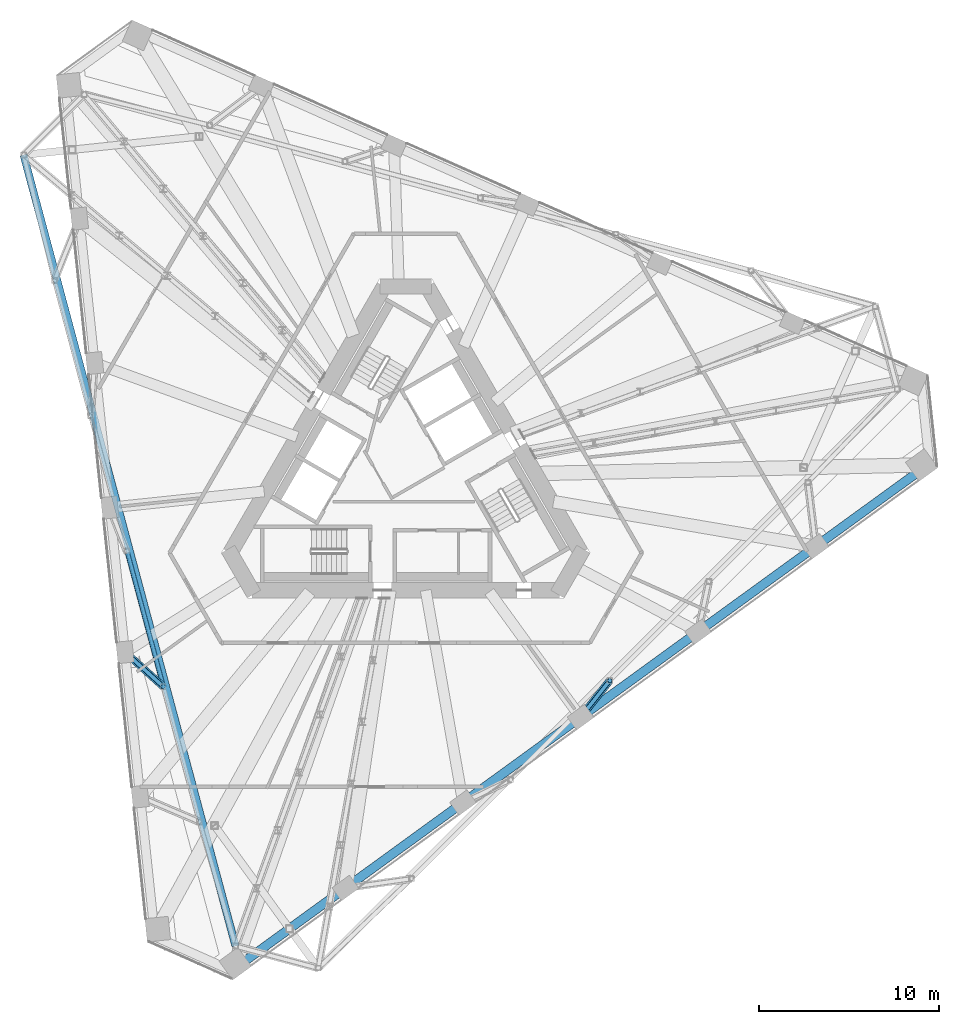
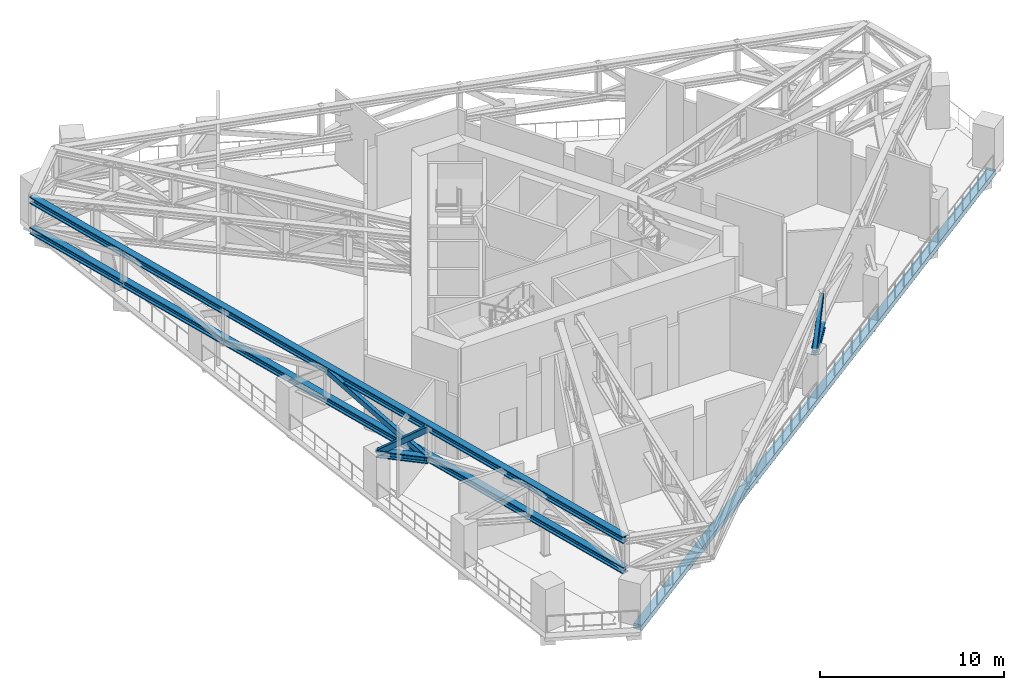
# One storey, part 3 of 26: 7 members, 1 beam.
"""IFC4 building model written with IfcOpenShell, lengths in metres."""

from ifc_helpers import new_model, si_unit, direction, frame, origin, origin_2d, place, context, subcontext, project, spatial, rectangle, hollow_rectangle, i_section, extrude, material, material_profile, profile_set, type_object, element, save


model = new_model("IFC4")

# Units and contexts
model_context = context("Model", 3, precision=1e-05, world=origin(), true_north=direction((0.0, 1.0)))
body_context = subcontext(model_context, "Body", "Model", "MODEL_VIEW")
ifc_project = project(units=[si_unit("LENGTHUNIT", "METRE"), si_unit("AREAUNIT", "SQUARE_METRE"), si_unit("VOLUMEUNIT", "CUBIC_METRE"), si_unit("PLANEANGLEUNIT", "RADIAN"), si_unit("MASSUNIT", "GRAM", prefix="KILO")], contexts=[model_context])

# Site, building, storey
site_placement = place(None, origin())
site = spatial("IfcSite", under=ifc_project, at=site_placement, CompositionType="ELEMENT")
building_placement = place(site_placement, origin())
building = spatial("IfcBuilding", under=site, at=building_placement, Name="Tramontana Tower", CompositionType="ELEMENT")
storey_placement = place(building_placement, frame((0.0, 0.0, 194.800048828125)))
storey = spatial("IfcBuildingStorey", under=building, at=storey_placement, Name="L45", CompositionType="ELEMENT", Elevation=194.800048828125)

# Members
ifc_material_1 = material(Name="Steel ASTM A500 Grade C", Category="steel")
ifc_material_profile_1 = material_profile(ifc_material_1, hollow_rectangle(XDim=0.25390625, YDim=0.355712890625, WallThickness=0.01171875, InnerFilletRadius=0.01171875, OuterFilletRadius=0.023681640625, at=origin_2d()), Name="HSS14X10X1/2")
ifc_profile_set_1 = profile_set([ifc_material_profile_1], Name="Steel ASTM A500 Grade C")
member_type_1 = type_object("IfcMemberType", Name="Belt truss HSS14X10X1/2 brace", PredefinedType="BRACE", material=ifc_profile_set_1)
member_1_placement = place(storey_placement, frame((-15.503173828125, -4.154052734375, 4.632568359375), z_axis=(0.250586583826, -0.935173482445, -0.250313646726), x_axis=(0.965923862644, 0.258826373416, 0.0)))
element("IfcMember", 1, at=member_1_placement, inside=storey, type_object=member_type_1, Name="Belt truss diagonal S0.4", PredefinedType="BRACE", context=body_context, shape_type="SweptSolid", body=[
    extrude(hollow_rectangle(XDim=0.25390625, YDim=0.355712890625, WallThickness=0.01171875, InnerFilletRadius=0.01171875, OuterFilletRadius=0.023681640625, at=origin_2d()), origin(), (0.0, 0.0, 1.0), 8.050537109375),
])
ifc_material_2 = material(Name="Steel ASTM A992 Grade 50", Category="steel")
ifc_material_profile_2 = material_profile(ifc_material_2, i_section(OverallWidth=0.412841796875, OverallDepth=0.43505859375, WebThickness=0.03662109375, FlangeThickness=0.05712890625, FilletRadius=0.01513671875, at=origin_2d()), Name="W14X311")
ifc_profile_set_2 = profile_set([ifc_material_profile_2], Name="Steel ASTM A992 Grade 50")
member_type_2 = type_object("IfcMemberType", Name="Belt truss W14X311 chord", PredefinedType="CHORD", material=ifc_profile_set_2)
for number, where, z_axis, x_axis, name in (
    (2, (-21.2548828125, 17.89111328125, 2.617431640625), (0.25882000186, -0.965925569926, 0.0), (0.965925569926, 0.25882000186, 0.0), "Belt truss bottom chord S0"),
    (3, (-21.2548828125, 17.89111328125, 4.632568359375), (0.25882000186, -0.965925569926, 0.0), (0.965925569926, 0.25882000186, 0.0), "Belt truss top chord S0"),
):
    element("IfcMember", number, at=place(storey_placement, frame(where, z_axis=z_axis, x_axis=x_axis)), inside=storey, type_object=member_type_2, Name=name, PredefinedType="CHORD", context=body_context, shape_type="SweptSolid", body=[
        extrude(i_section(OverallWidth=0.412841796875, OverallDepth=0.43505859375, WebThickness=0.03662109375, FlangeThickness=0.05712890625, FilletRadius=0.01513671875, at=origin_2d()), origin(), (0.0, 0.0, 1.0), 45.565185546875),
    ])

# Beam
ifc_material_3 = material(Name="Concrete 40 MPa", Category="concrete")
ifc_material_profile_3 = material_profile(ifc_material_3, rectangle(XDim=0.5, YDim=0.35009765625, at=origin_2d()), Name="RC EDGE BEAM 500X350 40 MPa")
ifc_profile_set_3 = profile_set([ifc_material_profile_3], Name="Concrete 40 MPa")
beam_type = type_object("IfcBeamType", Name="RC EDGE BEAM 500X350 40 MPa", PredefinedType="SPANDREL", material=ifc_profile_set_3)
beam_placement = place(storey_placement, frame((-9.364013671875, -27.26025390625, -0.525146484375), z_axis=(0.809017612716, 0.587784401218, 0.0), x_axis=(-0.587784401218, 0.809017612716, 0.0)))
element("IfcBeam", 4, at=beam_placement, inside=storey, type_object=beam_type, Name="Spandrel beam S1 L45", PredefinedType="SPANDREL", context=body_context, shape_type="SweptSolid", body=[
    extrude(rectangle(XDim=0.5, YDim=0.35009765625, at=origin_2d()), origin(), (0.0, 0.0, 1.0), 47.197509765625),
])

# Members
ifc_material_4 = material(Name="Steel ASTM A500 Grade C", Category="steel")
ifc_material_profile_4 = material_profile(ifc_material_4, hollow_rectangle(XDim=0.25390625, YDim=0.355712890625, WallThickness=0.01171875, InnerFilletRadius=0.01171875, OuterFilletRadius=0.023681640625, at=origin_2d()), Name="HSS14X10X1/2")
ifc_profile_set_4 = profile_set([ifc_material_profile_4], Name="Steel ASTM A500 Grade C")
member_type_3 = type_object("IfcMemberType", Name="Transfer truss HSS14X10X1/2 brace", PredefinedType="BRACE", material=ifc_profile_set_4)
member_2_placement = place(storey_placement, frame((-15.614501953125, -9.7685546875, 2.617431640625), z_axis=(0.608049869086, -0.546749738919, 0.575621472581), x_axis=(0.668630122636, 0.743595158069, 0.0)))
element("IfcMember", 5, at=member_2_placement, inside=storey, type_object=member_type_3, Name="Transfer truss strut C5F04 diagonal", PredefinedType="BRACE", context=body_context, shape_type="SweptSolid", body=[
    extrude(hollow_rectangle(XDim=0.25390625, YDim=0.355712890625, WallThickness=0.01171875, InnerFilletRadius=0.01171875, OuterFilletRadius=0.023681640625, at=origin_2d()), origin(), (0.0, 0.0, 1.0), 3.500732421875),
])
member_3_placement = place(storey_placement, frame((9.727783203125, -13.38916015625, 2.617431640625), z_axis=(0.492190479529, 0.61929583601, 0.611736217141), x_axis=(-0.782866549177, 0.62218965451, 0.0)))
element("IfcMember", 6, at=member_3_placement, inside=storey, type_object=member_type_3, Name="Transfer truss strut C5F08 diagonal", PredefinedType="BRACE", context=body_context, shape_type="SweptSolid", body=[
    extrude(hollow_rectangle(XDim=0.25390625, YDim=0.355712890625, WallThickness=0.01171875, InnerFilletRadius=0.01171875, OuterFilletRadius=0.023681640625, at=origin_2d()), origin(), (0.0, 0.0, 1.0), 3.294189453125),
])
ifc_material_5 = material(Name="Steel ASTM A992 Grade 50", Category="steel")
ifc_material_profile_5 = material_profile(ifc_material_5, i_section(OverallWidth=0.412841796875, OverallDepth=0.43505859375, WebThickness=0.03662109375, FlangeThickness=0.05712890625, FilletRadius=0.01513671875, at=origin_2d()), Name="W14X311")
ifc_profile_set_5 = profile_set([ifc_material_profile_5], Name="Steel ASTM A992 Grade 50")
member_type_4 = type_object("IfcMemberType", Name="Transfer truss W14X311 strut", PredefinedType="STRUT", material=ifc_profile_set_5)
member_4_placement = place(storey_placement, frame((-15.614501953125, -9.7685546875, 2.617431640625), z_axis=(0.743595158069, -0.668630122636, 0.0), x_axis=(0.668630122636, 0.743595158069, 0.0)))
element("IfcMember", 7, at=member_4_placement, inside=storey, type_object=member_type_4, Name="Transfer truss strut C5F04 bottom", PredefinedType="STRUT", context=body_context, shape_type="SweptSolid", body=[
    extrude(i_section(OverallWidth=0.412841796875, OverallDepth=0.43505859375, WebThickness=0.03662109375, FlangeThickness=0.05712890625, FilletRadius=0.01513671875, at=origin_2d()), origin(), (0.0, 0.0, 1.0), 2.862548828125),
])
member_5_placement = place(storey_placement, frame((9.727783203125, -13.38916015625, 2.617431640625), z_axis=(0.62218965451, 0.782866549177, 0.0), x_axis=(-0.782866549177, 0.62218965451, 0.0)))
element("IfcMember", 8, at=member_5_placement, inside=storey, type_object=member_type_4, Name="Transfer truss strut C5F08 bottom", PredefinedType="STRUT", context=body_context, shape_type="SweptSolid", body=[
    extrude(i_section(OverallWidth=0.412841796875, OverallDepth=0.43505859375, WebThickness=0.03662109375, FlangeThickness=0.05712890625, FilletRadius=0.01513671875, at=origin_2d()), origin(), (0.0, 0.0, 1.0), 2.60595703125),
])

save(model, "model.ifc")
